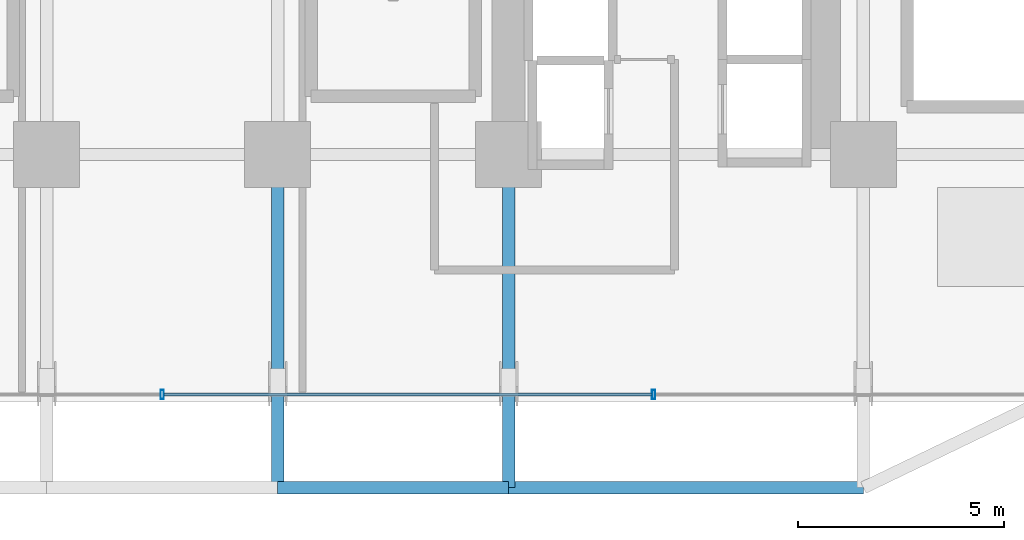
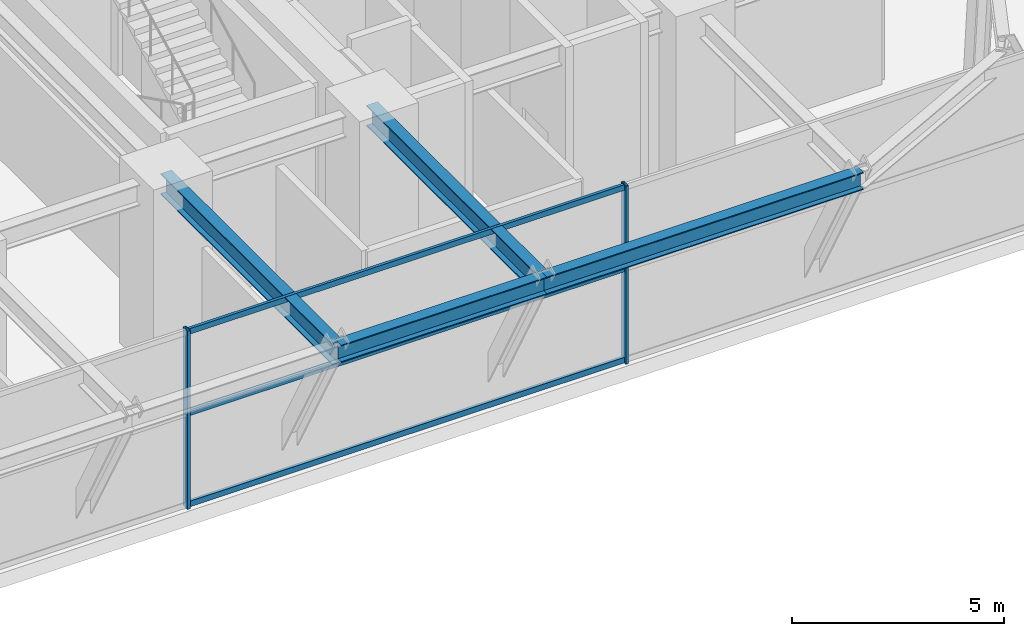
# One storey, part 6 of 29: 5 members, 4 beams, 1 element without a shape of its own.
"""IFC4 building model written with IfcOpenShell, lengths in metres."""

from ifc_helpers import new_model, si_unit, direction, frame, origin, origin_2d, place, context, subcontext, project, spatial, hollow_rectangle, i_section, extrude, source, transform, mapped, material, material_profile, profile_set, type_object, element, aggregate, save


model = new_model("IFC4")

# Units and contexts
model_context = context("Model", 3, precision=1e-05, world=origin(), true_north=direction((0.0, 1.0)))
body_context = subcontext(model_context, "Body", "Model", "MODEL_VIEW")
ifc_project = project(units=[si_unit("LENGTHUNIT", "METRE"), si_unit("AREAUNIT", "SQUARE_METRE"), si_unit("VOLUMEUNIT", "CUBIC_METRE"), si_unit("PLANEANGLEUNIT", "RADIAN"), si_unit("MASSUNIT", "GRAM", prefix="KILO")], contexts=[model_context])

# Site, building, storey
site_placement = place(None, origin())
site = spatial("IfcSite", under=ifc_project, at=site_placement, CompositionType="ELEMENT")
building_placement = place(site_placement, origin())
building = spatial("IfcBuilding", under=site, at=building_placement, Name="Nahalor Promenade Grand Hotel", CompositionType="ELEMENT")
storey_placement = place(building_placement, frame((0.0, 0.0, 27.0)))
storey = spatial("IfcBuildingStorey", under=building, at=storey_placement, Name="L05", CompositionType="ELEMENT", Elevation=27.0)

# Beams
ifc_material_1 = material(Name="Steel S355JR", Category="steel")
ifc_material_profile_1 = material_profile(ifc_material_1, i_section(OverallWidth=0.3, OverallDepth=0.5, WebThickness=0.0145, FlangeThickness=0.028, at=origin_2d()), Name="HEB 500")
ifc_profile_set_1 = profile_set([ifc_material_profile_1], Name="Steel S355JR")
beam_type_1 = type_object("IfcBeamType", Name="Beam-Spandrel-HEB500", PredefinedType="SPANDREL", material=ifc_profile_set_1)
shared_shape_1 = source(origin(), body_context, "Body", "SweptSolid", [
    extrude(i_section(OverallWidth=0.3, OverallDepth=0.5, WebThickness=0.0145, FlangeThickness=0.028, at=origin_2d()), origin(), (0.0, 0.0, 1.0), 8.60009765625),
])
beam_1_placement = place(storey_placement, frame((8.39990234375, -25.080078125, 4.8701171875), z_axis=(1.0, 0.0, 0.0), x_axis=(0.0, 1.0, 0.0)))
element("IfcBeam", 1, at=beam_1_placement, inside=storey, type_object=beam_type_1, Name="BM-L05-SP-S-4", PredefinedType="SPANDREL", context=body_context, shape_type="MappedRepresentation", body=[
    mapped(shared_shape_1, transform((0.0, 0.0, 0.0), scale=1.0)),
])
shared_shape_2 = source(origin(), body_context, "Body", "SweptSolid", [
    extrude(i_section(OverallWidth=0.3, OverallDepth=0.5, WebThickness=0.0145, FlangeThickness=0.028, at=origin_2d()), origin(), (0.0, 0.0, 1.0), 5.599853515625),
])
beam_2_placement = place(storey_placement, frame((2.800048828125, -25.080078125, 4.8701171875), z_axis=(1.0, 0.0, 0.0), x_axis=(0.0, 1.0, 0.0)))
element("IfcBeam", 2, at=beam_2_placement, inside=storey, type_object=beam_type_1, Name="BM-L05-SP-S-3", PredefinedType="SPANDREL", context=body_context, shape_type="MappedRepresentation", body=[
    mapped(shared_shape_2, transform((0.0, 0.0, 0.0), scale=1.0)),
])
ifc_material_profile_2 = material_profile(ifc_material_1, i_section(OverallWidth=0.3, OverallDepth=0.6, WebThickness=0.0155, FlangeThickness=0.03, at=origin_2d()), Name="HEB 600")
ifc_profile_set_2 = profile_set([ifc_material_profile_2], Name="Steel S355JR")
beam_type_2 = type_object("IfcBeamType", Name="Beam-Girder-HEB600", PredefinedType="BEAM", material=ifc_profile_set_2)
shared_shape_3 = source(origin(), body_context, "Body", "SweptSolid", [
    extrude(i_section(OverallWidth=0.3, OverallDepth=0.6, WebThickness=0.0155, FlangeThickness=0.03, at=origin_2d()), origin(), (0.0, 0.0, 1.0), 8.080078125),
])
for number, where, z_axis, x_axis, name in (
    (3, (2.800048828125, -25.080078125, 4.820068359375), (0.0, 1.0, 0.0), (-1.0, 0.0, 0.0), "BM-L05-GY-3-0"),
    (4, (8.39990234375, -25.080078125, 4.820068359375), (0.0, 1.0, 0.0), (-1.0, 0.0, 0.0), "BM-L05-GY-4-0"),
):
    element("IfcBeam", number, at=place(storey_placement, frame(where, z_axis=z_axis, x_axis=x_axis)), inside=storey, type_object=beam_type_2, Name=name, PredefinedType="BEAM", context=body_context, shape_type="MappedRepresentation", body=[
        mapped(shared_shape_3, transform((0.0, 0.0, 0.0), scale=1.0)),
    ])

# Curtain wall, members
ifc_material_2 = material(Name="Anodised Bronze Aluminium EN AW-6063 T6", Category="aluminium")
curtain_wall_type = type_object("IfcCurtainWallType", Name="CW1 Waterfront Podium Bronze Arcade Curtain Wall", PredefinedType="USERDEFINED", material=ifc_material_2)
curtain_wall_placement = place(storey_placement, origin())
curtain_wall = element("IfcCurtainWall", 5, at=curtain_wall_placement, inside=storey, type_object=curtain_wall_type, Name="L05 Curtain Wall CW-L05-S", ObjectType="UNITISED_CURTAIN_WALL", PredefinedType="USERDEFINED")
ifc_material_profile_3 = material_profile(ifc_material_2, hollow_rectangle(XDim=0.08, YDim=0.22, WallThickness=0.005, at=origin_2d()), Name="CWM 80x220x5")
ifc_profile_set_3 = profile_set([ifc_material_profile_3], Name="Anodised Bronze Aluminium EN AW-6063 T6")
member_type_1 = type_object("IfcMemberType", Name="CWM1 Podium Bronze Mullion 80x220", PredefinedType="MULLION", material=ifc_profile_set_3)
shared_shape_4 = source(origin(), body_context, "Body", "SweptSolid", [
    extrude(hollow_rectangle(XDim=0.08, YDim=0.22, WallThickness=0.005, at=origin_2d()), origin(), (0.0, 0.0, 1.0), 5.1201171875),
])
member_1_placement = place(storey_placement, frame((0.0, -22.820068359375, 0.0), z_axis=(0.0, 0.0, 1.0), x_axis=(1.0, 0.0, 0.0)))
member_1 = element("IfcMember", 6, at=member_1_placement, type_object=member_type_1, Name="CW-L05-S Mullion 2", PredefinedType="MULLION", context=body_context, shape_type="MappedRepresentation", body=[
    mapped(shared_shape_4, transform((0.0, 0.0, 0.0), scale=1.0)),
])
member_2_placement = place(storey_placement, frame((11.909912109375, -22.820068359375, 0.0), z_axis=(0.0, 0.0, 1.0), x_axis=(1.0, 0.0, 0.0)))
member_2 = element("IfcMember", 7, at=member_2_placement, type_object=member_type_1, Name="CW-L05-S Mullion 3", PredefinedType="MULLION", context=body_context, shape_type="MappedRepresentation", body=[
    mapped(shared_shape_4, transform((0.0, 0.0, 0.0), scale=1.0)),
])
ifc_material_profile_4 = material_profile(ifc_material_2, hollow_rectangle(XDim=0.08, YDim=0.16, WallThickness=0.004, at=origin_2d()), Name="CWT 80x160x4")
ifc_profile_set_4 = profile_set([ifc_material_profile_4], Name="Anodised Bronze Aluminium EN AW-6063 T6")
member_type_2 = type_object("IfcMemberType", Name="CWT1 Podium Bronze Transom 80x160", PredefinedType="USERDEFINED", material=ifc_profile_set_4)
shared_shape_5 = source(origin(), body_context, "Body", "SweptSolid", [
    extrude(hollow_rectangle(XDim=0.08, YDim=0.16, WallThickness=0.004, at=origin_2d()), origin(), (0.0, 0.0, 1.0), 11.830078125),
])
member_3_placement = place(storey_placement, frame((0.0400390625, -22.820068359375, 0.080078125), z_axis=(1.0, 0.0, 0.0), x_axis=(0.0, 1.0, 0.0)))
member_3 = element("IfcMember", 8, at=member_3_placement, type_object=member_type_2, Name="CW-L05-S Transom 2-0", ObjectType="TRANSOM", PredefinedType="USERDEFINED", context=body_context, shape_type="MappedRepresentation", body=[
    mapped(shared_shape_5, transform((0.0, 0.0, 0.0), scale=1.0)),
])
member_4_placement = place(storey_placement, frame((0.0400390625, -22.820068359375, 2.699951171875), z_axis=(1.0, 0.0, 0.0), x_axis=(0.0, 1.0, 0.0)))
member_4 = element("IfcMember", 9, at=member_4_placement, type_object=member_type_2, Name="CW-L05-S Transom 2-1", ObjectType="TRANSOM", PredefinedType="USERDEFINED", context=body_context, shape_type="MappedRepresentation", body=[
    mapped(shared_shape_5, transform((0.0, 0.0, 0.0), scale=1.0)),
])
member_5_placement = place(storey_placement, frame((0.0400390625, -22.820068359375, 5.0400390625), z_axis=(1.0, 0.0, 0.0), x_axis=(0.0, 1.0, 0.0)))
member_5 = element("IfcMember", 10, at=member_5_placement, type_object=member_type_2, Name="CW-L05-S Transom 2-2", ObjectType="TRANSOM", PredefinedType="USERDEFINED", context=body_context, shape_type="MappedRepresentation", body=[
    mapped(shared_shape_5, transform((0.0, 0.0, 0.0), scale=1.0)),
])
aggregate(curtain_wall, [member_1, member_2, member_3, member_4, member_5])

save(model, "model.ifc")
